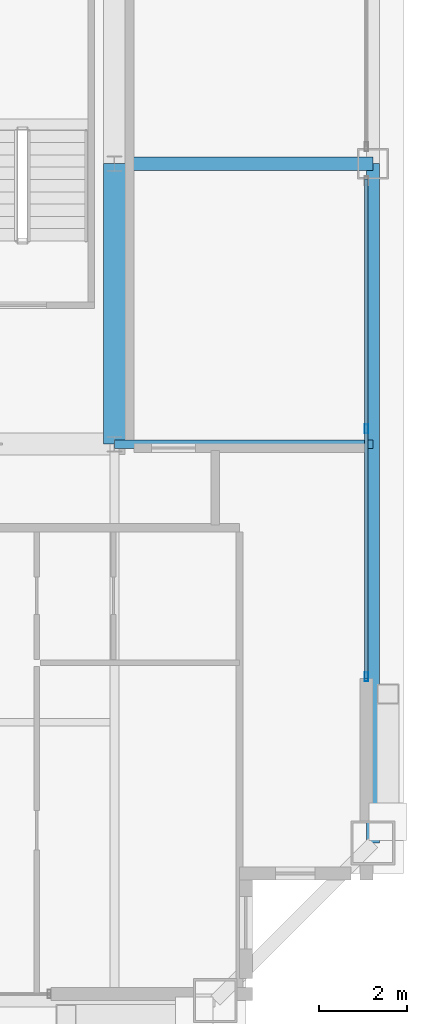
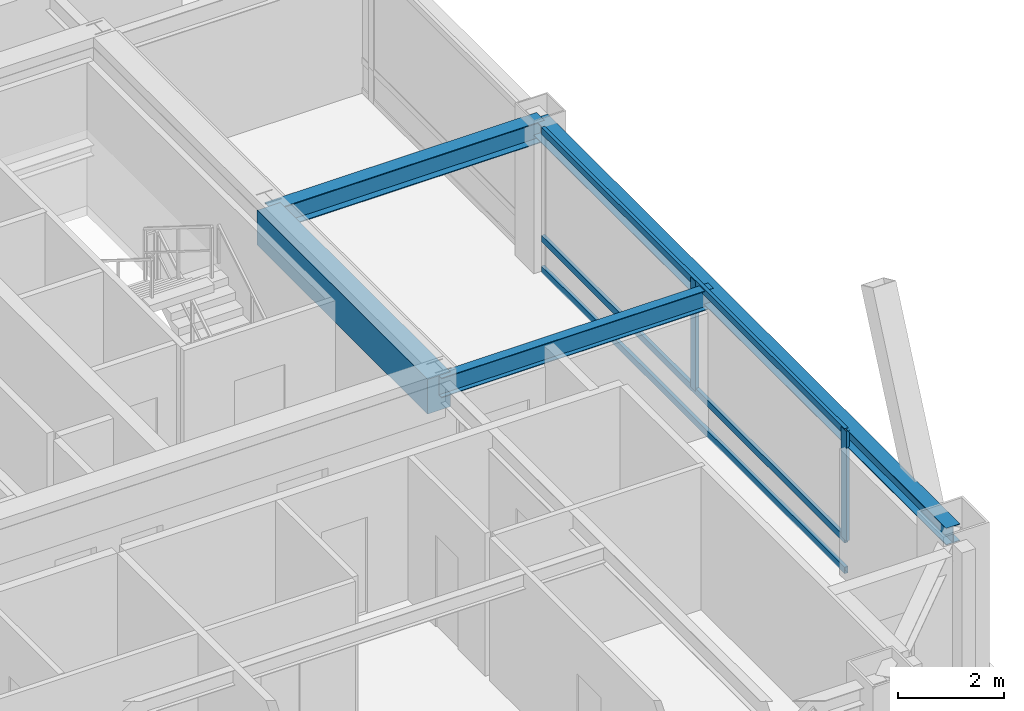
# One storey, part 13 of 35: 5 members, 4 beams, 1 element without a shape of its own.
"""IFC4 building model written with IfcOpenShell, lengths in metres."""

from ifc_helpers import new_model, si_unit, direction, frame, origin, origin_2d, place, context, subcontext, project, spatial, rectangle, hollow_rectangle, i_section, extrude, source, transform, mapped, material, layer, layer_set, material_profile, profile_set, type_object, element, aggregate, save


model = new_model("IFC4")

# Units and contexts
model_context = context("Model", 3, precision=1e-05, world=origin(), true_north=direction((0.0, 1.0)))
body_context = subcontext(model_context, "Body", "Model", "MODEL_VIEW")
ifc_project = project(units=[si_unit("LENGTHUNIT", "METRE"), si_unit("AREAUNIT", "SQUARE_METRE"), si_unit("VOLUMEUNIT", "CUBIC_METRE"), si_unit("PLANEANGLEUNIT", "RADIAN"), si_unit("MASSUNIT", "GRAM", prefix="KILO"), si_unit("THERMODYNAMICTEMPERATUREUNIT", "KELVIN"), si_unit("POWERUNIT", "WATT")], contexts=[model_context])

# Site, building, storey
site_placement = place(None, origin())
site = spatial("IfcSite", under=ifc_project, at=site_placement, CompositionType="ELEMENT")
building_placement = place(site_placement, origin())
building = spatial("IfcBuilding", under=site, at=building_placement, Name="Yuzanri Waterfront Tower", CompositionType="ELEMENT")
storey_placement = place(building_placement, frame((0.0, 0.0, 314.699951171875)))
storey = spatial("IfcBuildingStorey", under=building, at=storey_placement, Name="L84", CompositionType="ELEMENT", Elevation=314.699951171875)

# Beams
ifc_material_1 = material(Name="Concrete C50", Category="concrete")
ifc_material_profile_1 = material_profile(ifc_material_1, rectangle(XDim=0.5, YDim=0.800048828125, at=origin_2d()), Name="RC 500x800")
ifc_profile_set_1 = profile_set([ifc_material_profile_1], Name="Concrete C50")
beam_type_1 = type_object("IfcBeamType", Name="Core Coupling Lintel Concrete C50 500x800", PredefinedType="LINTEL", material=ifc_profile_set_1)
shared_shape_1 = source(origin(), body_context, "Body", "SweptSolid", [
    extrude(rectangle(XDim=0.5, YDim=0.800048828125, at=origin_2d()), origin(), (0.0, 0.0, 1.0), 6.400146484375),
])
beam_1_placement = place(storey_placement, frame((50.199951171875, 19.39990234375, 2.880126953125), z_axis=(0.0, 1.0, 0.0), x_axis=(-1.0, 0.0, 0.0)))
element("IfcBeam", 1, at=beam_1_placement, inside=storey, type_object=beam_type_1, Name="L84 Core Tie Beam CE1", PredefinedType="LINTEL", context=body_context, shape_type="MappedRepresentation", body=[
    mapped(shared_shape_1, transform((0.0, 0.0, 0.0), scale=1.0)),
])
ifc_material_2 = material(Name="Steel Q355B", Category="steel")
ifc_material_profile_2 = material_profile(ifc_material_2, i_section(OverallWidth=0.300048828125, OverallDepth=0.389892578125, WebThickness=0.010009765625, FlangeThickness=0.01611328125, at=origin_2d()), Name="HM 390x300x10x16")
ifc_profile_set_2 = profile_set([ifc_material_profile_2], Name="Steel Q355B")
beam_type_2 = type_object("IfcBeamType", Name="Perimeter Spandrel Q355B HM 390x300", PredefinedType="SPANDREL", material=ifc_profile_set_2)
shared_shape_2 = source(origin(), body_context, "Body", "SweptSolid", [
    extrude(i_section(OverallWidth=0.300048828125, OverallDepth=0.389892578125, WebThickness=0.010009765625, FlangeThickness=0.01611328125, at=origin_2d()), origin(), (0.0, 0.0, 1.0), 15.5),
])
beam_2_placement = place(storey_placement, frame((56.10009765625, 10.300048828125, 3.0849609375), z_axis=(0.0, 1.0, 0.0), x_axis=(-1.0, 0.0, 0.0)))
element("IfcBeam", 2, at=beam_2_placement, inside=storey, type_object=beam_type_2, Name="L84 Perimeter Spandrel E1-E2", PredefinedType="SPANDREL", context=body_context, shape_type="MappedRepresentation", body=[
    mapped(shared_shape_2, transform((0.0, 0.0, 0.0), scale=1.0)),
])
ifc_material_3 = material(Name="Steel Q355B", Category="steel")
ifc_material_profile_3 = material_profile(ifc_material_3, i_section(OverallWidth=0.300048828125, OverallDepth=0.488037109375, WebThickness=0.010986328125, FlangeThickness=0.01806640625, at=origin_2d()), Name="HM 488x300x11x18")
ifc_profile_set_3 = profile_set([ifc_material_profile_3], Name="Steel Q355B")
beam_type_3 = type_object("IfcBeamType", Name="Primary Floor Girder Q355B HM 488x300", PredefinedType="BEAM", material=ifc_profile_set_3)
shared_shape_3 = source(origin(), body_context, "Body", "SweptSolid", [
    extrude(i_section(OverallWidth=0.300048828125, OverallDepth=0.488037109375, WebThickness=0.010986328125, FlangeThickness=0.01806640625, at=origin_2d()), origin(), (0.0, 0.0, 1.0), 5.900146484375),
])
beam_3_placement = place(storey_placement, frame((50.199951171875, 25.800048828125, 3.0361328125), z_axis=(1.0, 0.0, 0.0), x_axis=(0.0, 1.0, 0.0)))
element("IfcBeam", 3, at=beam_3_placement, inside=storey, type_object=beam_type_3, Name="L84 East Grid Girder", PredefinedType="BEAM", context=body_context, shape_type="MappedRepresentation", body=[
    mapped(shared_shape_3, transform((0.0, 0.0, 0.0), scale=1.0)),
])
ifc_material_4 = material(Name="Steel Q355B", Category="steel")
ifc_material_profile_4 = material_profile(ifc_material_4, i_section(OverallWidth=0.199951171875, OverallDepth=0.449951171875, WebThickness=0.009033203125, FlangeThickness=0.013916015625, at=origin_2d()), Name="HN 450x200x9x14")
ifc_profile_set_4 = profile_set([ifc_material_profile_4], Name="Steel Q355B")
beam_type_4 = type_object("IfcBeamType", Name="Secondary Floor Beam Q355B HN 450x200", PredefinedType="BEAM", material=ifc_profile_set_4)
shared_shape_4 = source(origin(), body_context, "Body", "SweptSolid", [
    extrude(i_section(OverallWidth=0.199951171875, OverallDepth=0.449951171875, WebThickness=0.009033203125, FlangeThickness=0.013916015625, at=origin_2d()), origin(), (0.0, 0.0, 1.0), 5.900146484375),
])
beam_4_placement = place(storey_placement, frame((50.199951171875, 19.39990234375, 3.054931640625), z_axis=(1.0, 0.0, 0.0), x_axis=(0.0, 1.0, 0.0)))
element("IfcBeam", 4, at=beam_4_placement, inside=storey, type_object=beam_type_4, Name="L84 East-South Core Line Beam", PredefinedType="BEAM", context=body_context, shape_type="MappedRepresentation", body=[
    mapped(shared_shape_4, transform((0.0, 0.0, 0.0), scale=1.0)),
])

# Curtain wall, members
ifc_material_5 = material(Name="Anodized Architectural Bronze", Category="metal")
ifc_layer = layer(ifc_material_5, 0.159912109375)
ifc_layer_set = layer_set([ifc_layer], Name="Anodized Architectural Bronze")
curtain_wall_type = type_object("IfcCurtainWallType", Name="Anodized Bronze High-Rise Penthouse High-Wind Unitized Curtain Wall 6900", PredefinedType="NOTDEFINED", material=ifc_layer_set)
curtain_wall_placement = place(storey_placement, origin())
curtain_wall = element("IfcCurtainWall", 5, at=curtain_wall_placement, inside=storey, type_object=curtain_wall_type, Name="L84 Curtain Wall CW-L84-EL", PredefinedType="NOTDEFINED")
ifc_material_6 = material(Name="Anodized Architectural Bronze", Category="metal")
ifc_material_profile_5 = material_profile(ifc_material_6, hollow_rectangle(XDim=0.074951171875, YDim=0.199951171875, WallThickness=0.00390625, at=origin_2d()), Name="CWM 75x200")
ifc_profile_set_5 = profile_set([ifc_material_profile_5], Name="Anodized Architectural Bronze")
member_type_1 = type_object("IfcMemberType", Name="Anodized Bronze Primary Curtain-Wall Mullion 75x200", PredefinedType="MULLION", material=ifc_profile_set_5)
shared_shape_5 = source(origin(), body_context, "Body", "SweptSolid", [
    extrude(hollow_rectangle(XDim=0.074951171875, YDim=0.199951171875, WallThickness=0.00390625, at=origin_2d()), origin(), (0.0, 0.0, 1.0), 2.52392578125),
])
member_1_placement = place(storey_placement, frame((55.949951171875, 14.090087890625, 0.756103515625), z_axis=(0.0, 0.0, 1.0), x_axis=(1.0, 0.0, 0.0)))
member_1 = element("IfcMember", 6, at=member_1_placement, type_object=member_type_1, Name="CW-L84-EL Upper Mullion 00", PredefinedType="MULLION", context=body_context, shape_type="MappedRepresentation", body=[
    mapped(shared_shape_5, transform((0.0, 0.0, 0.0), scale=1.0)),
])
member_2_placement = place(storey_placement, frame((55.949951171875, 19.75, 0.756103515625), z_axis=(0.0, 0.0, 1.0), x_axis=(1.0, 0.0, 0.0)))
member_2 = element("IfcMember", 7, at=member_2_placement, type_object=member_type_1, Name="CW-L84-EL Upper Mullion 01", PredefinedType="MULLION", context=body_context, shape_type="MappedRepresentation", body=[
    mapped(shared_shape_5, transform((0.0, 0.0, 0.0), scale=1.0)),
])
ifc_material_7 = material(Name="Anodized Architectural Bronze", Category="metal")
ifc_material_profile_6 = material_profile(ifc_material_7, hollow_rectangle(XDim=0.074951171875, YDim=0.14990234375, WallThickness=0.00390625, at=origin_2d()), Name="CWT 75x150")
ifc_profile_set_6 = profile_set([ifc_material_profile_6], Name="Anodized Architectural Bronze")
member_type_2 = type_object("IfcMemberType", Name="Anodized Bronze Primary Curtain-Wall Transom 75x150", PredefinedType="USERDEFINED", material=ifc_profile_set_6)
shared_shape_6 = source(origin(), body_context, "Body", "SweptSolid", [
    extrude(hollow_rectangle(XDim=0.074951171875, YDim=0.14990234375, WallThickness=0.00390625, at=origin_2d()), origin(), (0.0, 0.0, 1.0), 11.39990234375),
])
member_3_placement = place(storey_placement, frame((55.949951171875, 14.050048828125, 0.050048828125), z_axis=(0.0, 1.0, 0.0), x_axis=(-1.0, 0.0, 0.0)))
member_3 = element("IfcMember", 8, at=member_3_placement, type_object=member_type_2, Name="CW-L84-EL Transom 1", ObjectType="TRANSOM", PredefinedType="USERDEFINED", context=body_context, shape_type="MappedRepresentation", body=[
    mapped(shared_shape_6, transform((0.0, 0.0, 0.0), scale=1.0)),
])
member_4_placement = place(storey_placement, frame((55.949951171875, 14.050048828125, 0.754150390625), z_axis=(0.0, 1.0, 0.0), x_axis=(-1.0, 0.0, 0.0)))
member_4 = element("IfcMember", 9, at=member_4_placement, type_object=member_type_2, Name="CW-L84-EL Transom 2", ObjectType="TRANSOM", PredefinedType="USERDEFINED", context=body_context, shape_type="MappedRepresentation", body=[
    mapped(shared_shape_6, transform((0.0, 0.0, 0.0), scale=1.0)),
])
member_5_placement = place(storey_placement, frame((55.949951171875, 14.050048828125, 3.22998046875), z_axis=(0.0, 1.0, 0.0), x_axis=(-1.0, 0.0, 0.0)))
member_5 = element("IfcMember", 10, at=member_5_placement, type_object=member_type_2, Name="CW-L84-EL Transom 3", ObjectType="TRANSOM", PredefinedType="USERDEFINED", context=body_context, shape_type="MappedRepresentation", body=[
    mapped(shared_shape_6, transform((0.0, 0.0, 0.0), scale=1.0)),
])
aggregate(curtain_wall, [member_1, member_2, member_3, member_4, member_5])

save(model, "model.ifc")
